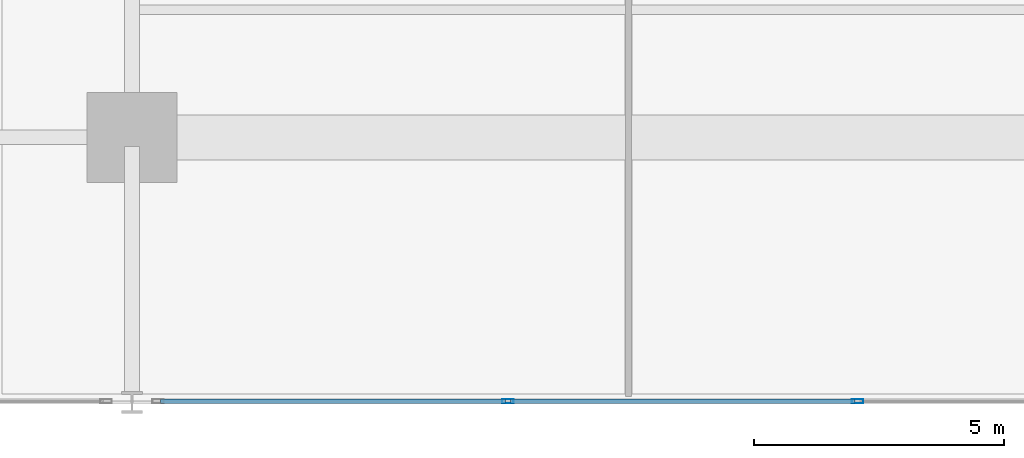
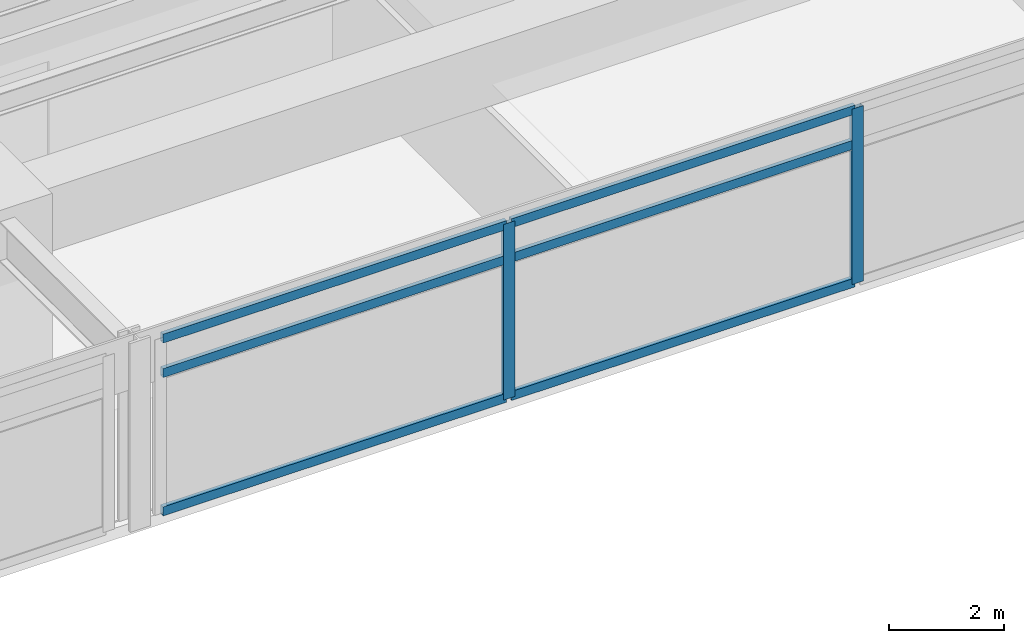
# One storey, part 4 of 22: 8 members, 1 element without a shape of its own.
"""IFC4 building model written with IfcOpenShell, lengths in metres."""

from ifc_helpers import new_model, si_unit, direction, frame, origin, origin_2d, place, context, subcontext, project, spatial, hollow_rectangle, extrude, material, material_profile, profile_set, type_object, element, aggregate, save


model = new_model("IFC4")

# Units and contexts
model_context = context("Model", 3, precision=1e-05, world=origin(), true_north=direction((0.0, 1.0)))
body_context = subcontext(model_context, "Body", "Model", "MODEL_VIEW")
ifc_project = project(units=[si_unit("LENGTHUNIT", "METRE"), si_unit("AREAUNIT", "SQUARE_METRE"), si_unit("VOLUMEUNIT", "CUBIC_METRE"), si_unit("PLANEANGLEUNIT", "RADIAN"), si_unit("MASSUNIT", "GRAM", prefix="KILO")], contexts=[model_context])

# Site, building, storey
site_placement = place(None, origin())
site = spatial("IfcSite", under=ifc_project, at=site_placement, CompositionType="ELEMENT")
building_placement = place(site_placement, origin())
building = spatial("IfcBuilding", under=site, at=building_placement, Name="Kovane Verandah Tower", CompositionType="ELEMENT")
storey_placement = place(building_placement, frame((0.0, 0.0, 43.60009765625)))
storey = spatial("IfcBuildingStorey", under=building, at=storey_placement, Name="L09", CompositionType="ELEMENT", Elevation=43.60009765625)

# Curtain wall, members
ifc_material_1 = material(Name="Champagne Anodised Aluminium Frame with Low-E Clear Laminated Glass", Category="aluminium")
curtain_wall_type = type_object("IfcCurtainWallType", Name="CW-SYS-02-LOW", PredefinedType="NOTDEFINED", material=ifc_material_1)
curtain_wall_placement = place(storey_placement, origin())
curtain_wall = element("IfcCurtainWall", 1, at=curtain_wall_placement, inside=storey, type_object=curtain_wall_type, Name="L09 S Unitised Curtain Wall-2", PredefinedType="NOTDEFINED")
ifc_material_2 = material(Name="Champagne Anodised Aluminium 6063-T6", Category="aluminium")
ifc_material_profile_1 = material_profile(ifc_material_2, hollow_rectangle(XDim=0.0849609375, YDim=0.22998046875, WallThickness=0.00390625, at=origin_2d()), Name="AL85x230x4")
ifc_profile_set_1 = profile_set([ifc_material_profile_1], Name="Champagne Anodised Aluminium 6063-T6")
member_type_1 = type_object("IfcMemberType", Name="CW-MUL-85x230", PredefinedType="MULLION", material=ifc_profile_set_1)
member_1_placement = place(storey_placement, frame((36.506591796875, 5.52685546875, 0.02001953125), z_axis=(0.0, 0.0, 1.0), x_axis=(0.0, -1.0, 0.0)))
member_1 = element("IfcMember", 2, at=member_1_placement, type_object=member_type_1, Name="L09 S Unitised Curtain Wall-2 Mullion 2", PredefinedType="MULLION", context=body_context, shape_type="SweptSolid", body=[
    extrude(hollow_rectangle(XDim=0.0849609375, YDim=0.22998046875, WallThickness=0.00390625, at=origin_2d()), origin(), (0.0, 0.0, 1.0), 3.719970703125),
])
member_2_placement = place(storey_placement, frame((43.493408203125, 5.52685546875, 0.02001953125), z_axis=(0.0, 0.0, 1.0), x_axis=(0.0, -1.0, 0.0)))
member_2 = element("IfcMember", 3, at=member_2_placement, type_object=member_type_1, Name="L09 S Unitised Curtain Wall-2 Mullion 3", PredefinedType="MULLION", context=body_context, shape_type="SweptSolid", body=[
    extrude(hollow_rectangle(XDim=0.0849609375, YDim=0.22998046875, WallThickness=0.00390625, at=origin_2d()), origin(), (0.0, 0.0, 1.0), 3.719970703125),
])
ifc_material_profile_2 = material_profile(ifc_material_2, hollow_rectangle(XDim=0.0849609375, YDim=0.18994140625, WallThickness=0.00390625, at=origin_2d()), Name="AL85x190x4")
ifc_profile_set_2 = profile_set([ifc_material_profile_2], Name="Champagne Anodised Aluminium 6063-T6")
member_type_2 = type_object("IfcMemberType", Name="CW-TRN-85x190", PredefinedType="USERDEFINED", material=ifc_profile_set_2)
member_3_placement = place(storey_placement, frame((29.570068359375, 5.52685546875, 0.0498046875), z_axis=(1.0, 0.0, 0.0), x_axis=(0.0, 1.0, 0.0)))
member_3 = element("IfcMember", 4, at=member_3_placement, type_object=member_type_2, Name="L09 S Unitised Curtain Wall-2 Transom TB Bay 1", ObjectType="TRANSOM", PredefinedType="USERDEFINED", context=body_context, shape_type="SweptSolid", body=[
    extrude(hollow_rectangle(XDim=0.0849609375, YDim=0.18994140625, WallThickness=0.00390625, at=origin_2d()), origin(), (0.0, 0.0, 1.0), 6.88671875),
])
member_4_placement = place(storey_placement, frame((29.570068359375, 5.52685546875, 2.97998046875), z_axis=(1.0, 0.0, 0.0), x_axis=(0.0, 1.0, 0.0)))
member_4 = element("IfcMember", 5, at=member_4_placement, type_object=member_type_2, Name="L09 S Unitised Curtain Wall-2 Transom TM Bay 1", ObjectType="TRANSOM", PredefinedType="USERDEFINED", context=body_context, shape_type="SweptSolid", body=[
    extrude(hollow_rectangle(XDim=0.0849609375, YDim=0.18994140625, WallThickness=0.00390625, at=origin_2d()), origin(), (0.0, 0.0, 1.0), 6.88671875),
])
member_5_placement = place(storey_placement, frame((29.570068359375, 5.52685546875, 3.7099609375), z_axis=(1.0, 0.0, 0.0), x_axis=(0.0, 1.0, 0.0)))
member_5 = element("IfcMember", 6, at=member_5_placement, type_object=member_type_2, Name="L09 S Unitised Curtain Wall-2 Transom TT Bay 1", ObjectType="TRANSOM", PredefinedType="USERDEFINED", context=body_context, shape_type="SweptSolid", body=[
    extrude(hollow_rectangle(XDim=0.0849609375, YDim=0.18994140625, WallThickness=0.00390625, at=origin_2d()), origin(), (0.0, 0.0, 1.0), 6.88671875),
])
member_6_placement = place(storey_placement, frame((36.556640625, 5.52685546875, 0.0498046875), z_axis=(1.0, 0.0, 0.0), x_axis=(0.0, 1.0, 0.0)))
member_6 = element("IfcMember", 7, at=member_6_placement, type_object=member_type_2, Name="L09 S Unitised Curtain Wall-2 Transom TB Bay 2", ObjectType="TRANSOM", PredefinedType="USERDEFINED", context=body_context, shape_type="SweptSolid", body=[
    extrude(hollow_rectangle(XDim=0.0849609375, YDim=0.18994140625, WallThickness=0.00390625, at=origin_2d()), origin(), (0.0, 0.0, 1.0), 6.88671875),
])
member_7_placement = place(storey_placement, frame((36.556640625, 5.52685546875, 2.97998046875), z_axis=(1.0, 0.0, 0.0), x_axis=(0.0, 1.0, 0.0)))
member_7 = element("IfcMember", 8, at=member_7_placement, type_object=member_type_2, Name="L09 S Unitised Curtain Wall-2 Transom TM Bay 2", ObjectType="TRANSOM", PredefinedType="USERDEFINED", context=body_context, shape_type="SweptSolid", body=[
    extrude(hollow_rectangle(XDim=0.0849609375, YDim=0.18994140625, WallThickness=0.00390625, at=origin_2d()), origin(), (0.0, 0.0, 1.0), 6.88671875),
])
member_8_placement = place(storey_placement, frame((36.556640625, 5.52685546875, 3.7099609375), z_axis=(1.0, 0.0, 0.0), x_axis=(0.0, 1.0, 0.0)))
member_8 = element("IfcMember", 9, at=member_8_placement, type_object=member_type_2, Name="L09 S Unitised Curtain Wall-2 Transom TT Bay 2", ObjectType="TRANSOM", PredefinedType="USERDEFINED", context=body_context, shape_type="SweptSolid", body=[
    extrude(hollow_rectangle(XDim=0.0849609375, YDim=0.18994140625, WallThickness=0.00390625, at=origin_2d()), origin(), (0.0, 0.0, 1.0), 6.88671875),
])
aggregate(curtain_wall, [member_1, member_2, member_3, member_4, member_5, member_6, member_7, member_8])

save(model, "model.ifc")
